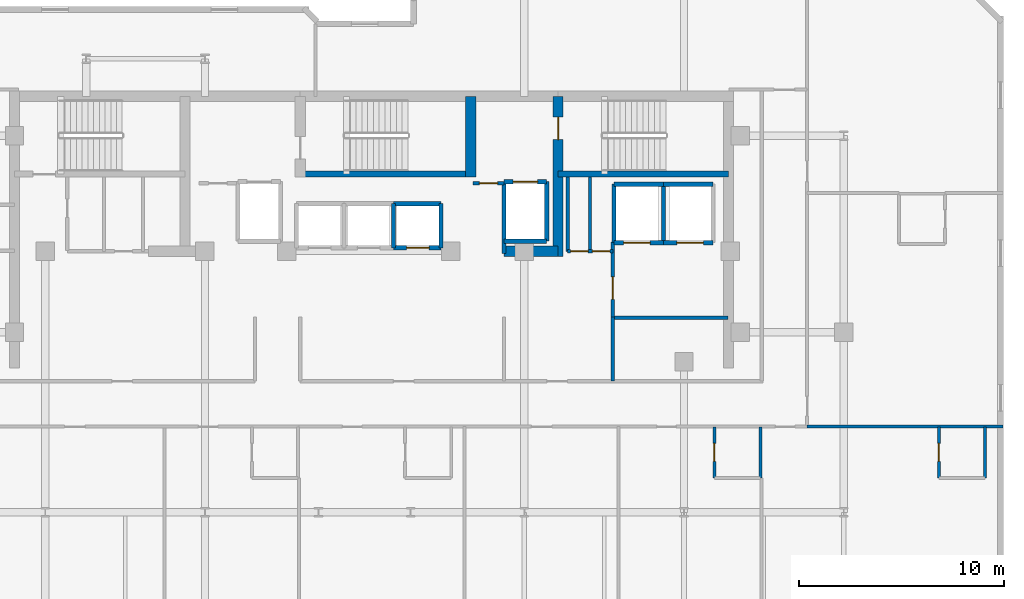
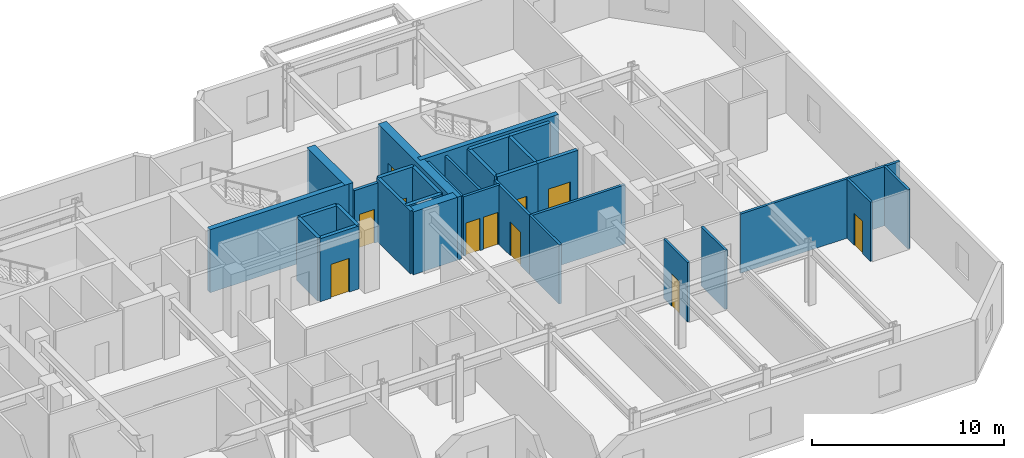
# One storey, part 6 of 9: 31 walls, 11 doors, 11 openings.
"""IFC4 building model written with IfcOpenShell, lengths in metres."""

from ifc_helpers import new_model, si_unit, direction, frame, frame_2d, origin, place, context, subcontext, project, spatial, rectangle, extrude, material, layer, layer_set, type_object, element, fill, save


model = new_model("IFC4")

# Units and contexts
model_context = context("Model", 3, precision=1e-05, world=origin(), true_north=direction((0.0, 1.0)))
body_context = subcontext(model_context, "Body", "Model", "MODEL_VIEW")
ifc_project = project(units=[si_unit("LENGTHUNIT", "METRE"), si_unit("AREAUNIT", "SQUARE_METRE"), si_unit("VOLUMEUNIT", "CUBIC_METRE"), si_unit("PLANEANGLEUNIT", "RADIAN"), si_unit("MASSUNIT", "GRAM", prefix="KILO")], contexts=[model_context])

# Site, building, storey
site_placement = place(None, origin())
site = spatial("IfcSite", under=ifc_project, at=site_placement, CompositionType="ELEMENT")
building_placement = place(site_placement, origin())
building = spatial("IfcBuilding", under=site, at=building_placement, Name="Kestravale Grand Hotel", CompositionType="ELEMENT")
storey_placement = place(building_placement, frame((0.0, 0.0, 257.39990234375)))
storey = spatial("IfcBuildingStorey", under=building, at=storey_placement, Name="L64", CompositionType="ELEMENT", Elevation=257.39990234375)

# Walls
ifc_material_1 = material(Name="Concrete f'c 50 MPa", Category="concrete")
ifc_layer_1 = layer(ifc_material_1, 0.5)
ifc_layer_set_1 = layer_set([ifc_layer_1], Name="EW-CORE-500")
wall_type_1 = type_object("IfcWallType", Name="EW-CORE-500", PredefinedType="SHEAR", material=ifc_layer_set_1)
wall_1_placement = place(storey_placement, frame((45.81005859375, 32.75, 0.0), z_axis=(0.0, 0.0, 1.0), x_axis=(1.0, 0.0, 0.0)))
element("IfcWall", 1, at=wall_1_placement, inside=storey, type_object=wall_type_1, Name="L64 core shear wall S2", PredefinedType="SHEAR", context=body_context, shape_type="SweptSolid", body=[
    extrude(rectangle(XDim=2.639892578125, YDim=0.5, at=frame_2d((1.31982421875, 0.0))), origin(), (0.0, 0.0, 1.0), 4.0),
])
wall_2_placement = place(storey_placement, frame((44.179931640625, 36.3701171875, 0.0), z_axis=(0.0, 0.0, 1.0), x_axis=(0.0, 1.0, 0.0)))
element("IfcWall", 2, at=wall_2_placement, inside=storey, type_object=wall_type_1, Name="L64 core shear wall X3", PredefinedType="SHEAR", context=body_context, shape_type="SweptSolid", body=[
    extrude(rectangle(XDim=3.949951171875, YDim=0.5, at=frame_2d((1.97509765625, 0.0))), origin(), (0.0, 0.0, 1.0), 4.0),
])

# Wall, opening, door
wall_3_placement = place(storey_placement, frame((48.449951171875, 32.5, 0.0), z_axis=(0.0, 0.0, 1.0), x_axis=(0.0, 1.0, 0.0)))
wall_3 = element("IfcWall", 3, at=wall_3_placement, inside=storey, type_object=wall_type_1, Name="L64 core shear wall X4", PredefinedType="SHEAR", context=body_context, shape_type="SweptSolid", body=[
    extrude(rectangle(XDim=7.820068359375, YDim=0.5, at=frame_2d((3.91015625, 0.0))), origin(), (0.0, 0.0, 1.0), 4.0),
])
opening_1_placement = place(wall_3_placement, frame((5.699951171875, 0.0, 0.0)))
opening_1 = element("IfcOpeningElement", 4, at=opening_1_placement, cuts=wall_3, Name="Opening D-ST-1100", PredefinedType="OPENING", context=body_context, shape_type="SweptSolid", body=[
    extrude(rectangle(XDim=1.10009765625, YDim=2.14990234375, at=frame_2d((0.550048828125, 1.074951171875))), frame((0.0, 0.260009765625, 0.0), z_axis=(0.0, -1.0, 0.0), x_axis=(1.0, 0.0, 0.0)), (0.0, 0.0, 1.0), 0.52001953125),
])
ifc_material_2 = material(Name="Galvanised 90-minute fire-rated steel stair door", Category="steel")
door_type_1 = type_object("IfcDoorType", Name="D-ST-1100", OperationType="NOTDEFINED", PredefinedType="DOOR", material=ifc_material_2)
door_1_placement = place(opening_1_placement, origin())
door_1 = element("IfcDoor", 5, at=door_1_placement, inside=storey, type_object=door_type_1, Name="L64 Stair ST-3 FSAE fire door", OperationType="SINGLE_SWING_RIGHT", OverallHeight=2.14990234375, OverallWidth=1.10009765625, PredefinedType="DOOR", context=body_context, shape_type="SweptSolid", body=[
    extrude(rectangle(XDim=1.10009765625, YDim=2.14990234375, at=frame_2d((0.550048828125, 1.074951171875))), frame((0.0, 0.02490234375, 0.0), z_axis=(0.0, -1.0, 0.0), x_axis=(1.0, 0.0, 0.0)), (0.0, 0.0, 1.0), 0.050048828125),
])
fill(opening_1, door_1)

# Walls
ifc_material_3 = material(Name="Concrete f'c 45 MPa", Category="concrete")
ifc_layer_2 = layer(ifc_material_3, 0.300048828125)
ifc_layer_set_2 = layer_set([ifc_layer_2], Name="EW-STAIR-300")
wall_type_2 = type_object("IfcWallType", Name="EW-STAIR-300", PredefinedType="SHEAR", material=ifc_layer_set_2)
wall_4_placement = place(storey_placement, frame((35.85009765625, 36.52001953125, 0.0), z_axis=(0.0, 0.0, 1.0), x_axis=(1.0, 0.0, 0.0)))
element("IfcWall", 6, at=wall_4_placement, inside=storey, type_object=wall_type_2, Name="L64 stair enclosure shear wall SST2", PredefinedType="SHEAR", context=body_context, shape_type="SweptSolid", body=[
    extrude(rectangle(XDim=8.329833984375, YDim=0.300048828125, at=frame_2d((4.1650390625, 0.0))), origin(), (0.0, 0.0, 1.0), 4.0),
])
wall_5_placement = place(storey_placement, frame((48.449951171875, 36.52001953125, 0.0), z_axis=(0.0, 0.0, 1.0), x_axis=(1.0, 0.0, 0.0)))
element("IfcWall", 7, at=wall_5_placement, inside=storey, type_object=wall_type_2, Name="L64 stair enclosure shear wall SST3", PredefinedType="SHEAR", context=body_context, shape_type="SweptSolid", body=[
    extrude(rectangle(XDim=8.320068359375, YDim=0.300048828125, at=frame_2d((4.16015625, 0.0))), origin(), (0.0, 0.0, 1.0), 4.0),
])

# Wall, opening, door
ifc_material_4 = material(Name="Acoustic fire-rated gypsum board partition", Category="other")
ifc_layer_3 = layer(ifc_material_4, 0.159912109375)
ifc_layer_set_3 = layer_set([ifc_layer_3], Name="IW-CORR-160")
wall_type_3 = type_object("IfcWallType", Name="IW-CORR-160", PredefinedType="PARTITIONING", material=ifc_layer_set_3)
wall_6_placement = place(storey_placement, frame((51.1201171875, 29.5, 0.0), z_axis=(0.0, 0.0, 1.0), x_axis=(0.0, 1.0, 0.0)))
wall_6 = element("IfcWall", 8, at=wall_6_placement, inside=storey, type_object=wall_type_3, Name="W-L64-SVCLOB-W", PredefinedType="PARTITIONING", context=body_context, shape_type="SweptSolid", body=[
    extrude(rectangle(XDim=3.699951171875, YDim=0.159912109375, at=frame_2d((1.85009765625, 0.0))), origin(), (0.0, 0.0, 1.0), 3.760009765625),
])
opening_2_placement = place(wall_6_placement, frame((0.89990234375, 0.0, 0.0)))
opening_2 = element("IfcOpeningElement", 9, at=opening_2_placement, cuts=wall_6, Name="Opening D-CORR-1100", PredefinedType="OPENING", context=body_context, shape_type="SweptSolid", body=[
    extrude(rectangle(XDim=1.10009765625, YDim=2.14990234375, at=frame_2d((0.550048828125, 1.074951171875))), frame((0.0, 0.08984375, 0.0), z_axis=(0.0, -1.0, 0.0), x_axis=(1.0, 0.0, 0.0)), (0.0, 0.0, 1.0), 0.179931640625),
])
ifc_material_5 = material(Name="Single-leaf service vestibule fire door", Category="steel")
door_type_2 = type_object("IfcDoorType", Name="D-CORR-1100", OperationType="NOTDEFINED", PredefinedType="DOOR", material=ifc_material_5)
door_2_placement = place(opening_2_placement, origin())
door_2 = element("IfcDoor", 10, at=door_2_placement, inside=storey, type_object=door_type_2, Name="L64 service lift lobby door", OperationType="SINGLE_SWING_LEFT", OverallHeight=2.14990234375, OverallWidth=1.10009765625, PredefinedType="DOOR", context=body_context, shape_type="SweptSolid", body=[
    extrude(rectangle(XDim=1.10009765625, YDim=2.14990234375, at=frame_2d((0.550048828125, 1.074951171875))), frame((0.0, 0.02490234375, 0.0), z_axis=(0.0, -1.0, 0.0), x_axis=(1.0, 0.0, 0.0)), (0.0, 0.0, 1.0), 0.050048828125),
])
fill(opening_2, door_2)

# Wall
wall_7_placement = place(storey_placement, frame((51.1201171875, 29.5, 0.0), z_axis=(0.0, 0.0, 1.0), x_axis=(1.0, 0.0, 0.0)))
element("IfcWall", 11, at=wall_7_placement, inside=storey, type_object=wall_type_3, Name="L64 service lift lobby wall", PredefinedType="PARTITIONING", context=body_context, shape_type="SweptSolid", body=[
    extrude(rectangle(XDim=5.6298828125, YDim=0.159912109375, at=frame_2d((2.81494140625, 0.0))), origin(), (0.0, 0.0, 1.0), 3.760009765625),
])

# Wall, openings, doors
wall_8_placement = place(storey_placement, frame((48.919921875, 32.75, 0.0), z_axis=(0.0, 0.0, 1.0), x_axis=(1.0, 0.0, 0.0)))
wall_8 = element("IfcWall", 12, at=wall_8_placement, inside=storey, type_object=wall_type_3, Name="W-L64-CES", PredefinedType="PARTITIONING", context=body_context, shape_type="SweptSolid", body=[
    extrude(rectangle(XDim=2.2001953125, YDim=0.159912109375, at=frame_2d((1.10009765625, 0.0))), origin(), (0.0, 0.0, 1.0), 3.760009765625),
])
opening_3_placement = place(wall_8_placement, frame((0.139892578125, 0.0, 0.0)))
opening_3 = element("IfcOpeningElement", 13, at=opening_3_placement, cuts=wall_8, Name="Opening D-SH-860", PredefinedType="OPENING", context=body_context, shape_type="SweptSolid", body=[
    extrude(rectangle(XDim=0.860107421875, YDim=2.050048828125, at=frame_2d((0.43017578125, 1.02490234375))), frame((0.0, 0.08984375, 0.0), z_axis=(0.0, -1.0, 0.0), x_axis=(1.0, 0.0, 0.0)), (0.0, 0.0, 1.0), 0.179931640625),
])
opening_4_placement = place(wall_8_placement, frame((1.199951171875, 0.0, 0.0)))
opening_4 = element("IfcOpeningElement", 14, at=opening_4_placement, cuts=wall_8, Name="Opening D-SH-860", PredefinedType="OPENING", context=body_context, shape_type="SweptSolid", body=[
    extrude(rectangle(XDim=0.860107421875, YDim=2.050048828125, at=frame_2d((0.43017578125, 1.02490234375))), frame((0.0, 0.08984375, 0.0), z_axis=(0.0, -1.0, 0.0), x_axis=(1.0, 0.0, 0.0)), (0.0, 0.0, 1.0), 0.179931640625),
])
ifc_material_6 = material(Name="Galvanised 90-minute riser fire door", Category="steel")
door_type_3 = type_object("IfcDoorType", Name="D-SH-860", OperationType="NOTDEFINED", PredefinedType="DOOR", material=ifc_material_6)
door_3_placement = place(opening_3_placement, origin())
door_3 = element("IfcDoor", 15, at=door_3_placement, inside=storey, type_object=door_type_3, Name="L64 CSTO1 door", OperationType="SINGLE_SWING_LEFT", OverallHeight=2.050048828125, OverallWidth=0.860107421875, PredefinedType="DOOR", context=body_context, shape_type="SweptSolid", body=[
    extrude(rectangle(XDim=0.860107421875, YDim=2.050048828125, at=frame_2d((0.43017578125, 1.02490234375))), frame((0.0, 0.02490234375, 0.0), z_axis=(0.0, -1.0, 0.0), x_axis=(1.0, 0.0, 0.0)), (0.0, 0.0, 1.0), 0.050048828125),
])
fill(opening_3, door_3)
door_4_placement = place(opening_4_placement, origin())
door_4 = element("IfcDoor", 16, at=door_4_placement, inside=storey, type_object=door_type_3, Name="L64 CSTO2 door", OperationType="SINGLE_SWING_RIGHT", OverallHeight=2.050048828125, OverallWidth=0.860107421875, PredefinedType="DOOR", context=body_context, shape_type="SweptSolid", body=[
    extrude(rectangle(XDim=0.860107421875, YDim=2.050048828125, at=frame_2d((0.43017578125, 1.02490234375))), frame((0.0, 0.02490234375, 0.0), z_axis=(0.0, -1.0, 0.0), x_axis=(1.0, 0.0, 0.0)), (0.0, 0.0, 1.0), 0.050048828125),
])
fill(opening_4, door_4)

# Wall, opening, door
ifc_material_7 = material(Name="Fire-rated gypsum board on steel studs with mineral wool", Category="steel")
ifc_layer_4 = layer(ifc_material_7, 0.179931640625)
ifc_layer_set_4 = layer_set([ifc_layer_4], Name="IW-FSAE-180")
wall_type_4 = type_object("IfcWallType", Name="IW-FSAE-180", PredefinedType="PARTITIONING", material=ifc_layer_set_4)
wall_9_placement = place(storey_placement, frame((44.300048828125, 36.080078125, 0.0), z_axis=(0.0, 0.0, 1.0), x_axis=(1.0, 0.0, 0.0)))
wall_9 = element("IfcWall", 17, at=wall_9_placement, inside=storey, type_object=wall_type_4, Name="L64 FSAE Lobby 2 smoke barrier", PredefinedType="PARTITIONING", context=body_context, shape_type="SweptSolid", body=[
    extrude(rectangle(XDim=1.5, YDim=0.179931640625, at=frame_2d((0.75, 0.0))), origin(), (0.0, 0.0, 1.0), 3.760009765625),
])
opening_5_placement = place(wall_9_placement, frame((0.300048828125, 0.0, 0.0)))
opening_5 = element("IfcOpeningElement", 18, at=opening_5_placement, cuts=wall_9, Name="Opening D-FSAE-1000", PredefinedType="OPENING", context=body_context, shape_type="SweptSolid", body=[
    extrude(rectangle(XDim=0.89990234375, YDim=2.14990234375, at=frame_2d((0.449951171875, 1.074951171875))), frame((0.0, 0.099853515625, 0.0), z_axis=(0.0, -1.0, 0.0), x_axis=(1.0, 0.0, 0.0)), (0.0, 0.0, 1.0), 0.199951171875),
])
ifc_material_8 = material(Name="Smoke-gasketed FSAE lobby fire door", Category="steel")
door_type_4 = type_object("IfcDoorType", Name="D-FSAE-1000", OperationType="NOTDEFINED", PredefinedType="DOOR", material=ifc_material_8)
door_5_placement = place(opening_5_placement, origin())
door_5 = element("IfcDoor", 19, at=door_5_placement, inside=storey, type_object=door_type_4, Name="L64 FSAE Lobby 2 fire door", OperationType="SINGLE_SWING_LEFT", OverallHeight=2.14990234375, OverallWidth=0.89990234375, PredefinedType="DOOR", context=body_context, shape_type="SweptSolid", body=[
    extrude(rectangle(XDim=0.89990234375, YDim=2.14990234375, at=frame_2d((0.449951171875, 1.074951171875))), frame((0.0, 0.02490234375, 0.0), z_axis=(0.0, -1.0, 0.0), x_axis=(1.0, 0.0, 0.0)), (0.0, 0.0, 1.0), 0.050048828125),
])
fill(opening_5, door_5)

ifc_material_9 = material(Name="Moisture-resistant tile-backer plumbing chase wall", Category="other")
ifc_layer_5 = layer(ifc_material_9, 0.139892578125)
ifc_layer_set_5 = layer_set([ifc_layer_5], Name="IW-PLB-140")
wall_type_5 = type_object("IfcWallType", Name="IW-PLB-140", PredefinedType="PLUMBINGWALL", material=ifc_layer_set_5)
wall_10_placement = place(storey_placement, frame((56.080078125, 21.679931640625, 0.0), z_axis=(0.0, 0.0, 1.0), x_axis=(0.0, 1.0, 0.0)))
wall_10 = element("IfcWall", 20, at=wall_10_placement, inside=storey, type_object=wall_type_5, Name="W-L64-U03-BW", PredefinedType="PLUMBINGWALL", context=body_context, shape_type="SweptSolid", body=[
    extrude(rectangle(XDim=2.489990234375, YDim=0.139892578125, at=frame_2d((1.2451171875, 0.0))), origin(), (0.0, 0.0, 1.0), 3.760009765625),
])
opening_6_placement = place(wall_10_placement, frame((0.804931640625, 0.0, 0.0)))
opening_6 = element("IfcOpeningElement", 21, at=opening_6_placement, cuts=wall_10, Name="Opening D-BATH-880", PredefinedType="OPENING", context=body_context, shape_type="SweptSolid", body=[
    extrude(rectangle(XDim=0.8798828125, YDim=2.050048828125, at=frame_2d((0.43994140625, 1.02490234375))), frame((0.0, 0.079833984375, 0.0), z_axis=(0.0, -1.0, 0.0), x_axis=(1.0, 0.0, 0.0)), (0.0, 0.0, 1.0), 0.159912109375),
])
ifc_material_10 = material(Name="Moisture-sealed walnut en-suite bathroom door", Category="wood")
door_type_5 = type_object("IfcDoorType", Name="D-BATH-880", OperationType="NOTDEFINED", PredefinedType="DOOR", material=ifc_material_10)
door_6_placement = place(opening_6_placement, origin())
door_6 = element("IfcDoor", 22, at=door_6_placement, inside=storey, type_object=door_type_5, Name="D-L64-U03-BATH", OperationType="SINGLE_SWING_RIGHT", OverallHeight=2.050048828125, OverallWidth=0.8798828125, PredefinedType="DOOR", context=body_context, shape_type="SweptSolid", body=[
    extrude(rectangle(XDim=0.8798828125, YDim=2.050048828125, at=frame_2d((0.43994140625, 1.02490234375))), frame((0.0, 0.02490234375, 0.0), z_axis=(0.0, -1.0, 0.0), x_axis=(1.0, 0.0, 0.0)), (0.0, 0.0, 1.0), 0.050048828125),
])
fill(opening_6, door_6)

# Wall
wall_11_placement = place(storey_placement, frame((58.330078125, 21.679931640625, 0.0), z_axis=(0.0, 0.0, 1.0), x_axis=(0.0, 1.0, 0.0)))
element("IfcWall", 23, at=wall_11_placement, inside=storey, type_object=wall_type_5, Name="W-L64-U03-BE", PredefinedType="PLUMBINGWALL", context=body_context, shape_type="SweptSolid", body=[
    extrude(rectangle(XDim=2.489990234375, YDim=0.139892578125, at=frame_2d((1.2451171875, 0.0))), origin(), (0.0, 0.0, 1.0), 3.760009765625),
])

# Wall, opening, door
wall_12_placement = place(storey_placement, frame((67.050048828125, 21.679931640625, 0.0), z_axis=(0.0, 0.0, 1.0), x_axis=(0.0, 1.0, 0.0)))
wall_12 = element("IfcWall", 24, at=wall_12_placement, inside=storey, type_object=wall_type_5, Name="W-L64-U07-BW", PredefinedType="PLUMBINGWALL", context=body_context, shape_type="SweptSolid", body=[
    extrude(rectangle(XDim=2.489990234375, YDim=0.139892578125, at=frame_2d((1.2451171875, 0.0))), origin(), (0.0, 0.0, 1.0), 3.760009765625),
])
opening_7_placement = place(wall_12_placement, frame((0.804931640625, 0.0, 0.0)))
opening_7 = element("IfcOpeningElement", 25, at=opening_7_placement, cuts=wall_12, Name="Opening D-BATH-880", PredefinedType="OPENING", context=body_context, shape_type="SweptSolid", body=[
    extrude(rectangle(XDim=0.8798828125, YDim=2.050048828125, at=frame_2d((0.43994140625, 1.02490234375))), frame((0.0, 0.079833984375, 0.0), z_axis=(0.0, -1.0, 0.0), x_axis=(1.0, 0.0, 0.0)), (0.0, 0.0, 1.0), 0.159912109375),
])
door_7_placement = place(opening_7_placement, origin())
door_7 = element("IfcDoor", 26, at=door_7_placement, inside=storey, type_object=door_type_5, Name="D-L64-U07-BATH", OperationType="SINGLE_SWING_LEFT", OverallHeight=2.050048828125, OverallWidth=0.8798828125, PredefinedType="DOOR", context=body_context, shape_type="SweptSolid", body=[
    extrude(rectangle(XDim=0.8798828125, YDim=2.050048828125, at=frame_2d((0.43994140625, 1.02490234375))), frame((0.0, 0.02490234375, 0.0), z_axis=(0.0, -1.0, 0.0), x_axis=(1.0, 0.0, 0.0)), (0.0, 0.0, 1.0), 0.050048828125),
])
fill(opening_7, door_7)

# Walls
wall_13_placement = place(storey_placement, frame((69.300048828125, 21.679931640625, 0.0), z_axis=(0.0, 0.0, 1.0), x_axis=(0.0, 1.0, 0.0)))
element("IfcWall", 27, at=wall_13_placement, inside=storey, type_object=wall_type_5, Name="W-L64-U07-BE", PredefinedType="PLUMBINGWALL", context=body_context, shape_type="SweptSolid", body=[
    extrude(rectangle(XDim=2.489990234375, YDim=0.139892578125, at=frame_2d((1.2451171875, 0.0))), origin(), (0.0, 0.0, 1.0), 3.760009765625),
])
ifc_material_11 = material(Name="Concrete f'c 45 MPa", Category="concrete")
ifc_layer_6 = layer(ifc_material_11, 0.199951171875)
ifc_layer_set_6 = layer_set([ifc_layer_6], Name="IW-SHAFT-200")
wall_type_6 = type_object("IfcWallType", Name="IW-SHAFT-200", PredefinedType="SHEAR", material=ifc_layer_set_6)
for number, where, z_axis, x_axis, name in (
    (28, (40.39990234375, 32.919921875, 0.0), (0.0, 0.0, 1.0), (0.0, 1.0, 0.0), "L64 PL-X3 west shaft wall"),
    (29, (42.719970703125, 32.919921875, 0.0), (0.0, 0.0, 1.0), (0.0, 1.0, 0.0), "L64 PL-X3 east shaft wall"),
):
    element("IfcWall", number, at=place(storey_placement, frame(where, z_axis=z_axis, x_axis=x_axis)), inside=storey, type_object=wall_type_6, Name=name, PredefinedType="SHEAR", context=body_context, shape_type="SweptSolid", body=[
        extrude(rectangle(XDim=2.16015625, YDim=0.199951171875, at=frame_2d((1.080078125, 0.0))), origin(), (0.0, 0.0, 1.0), 4.0),
    ])
for number, where, z_axis, x_axis, name in (
    (30, (51.179931640625, 33.169921875, 0.0), (0.0, 0.0, 1.0), (0.0, 1.0, 0.0), "L64 SL-1 west shaft wall"),
    (31, (53.60009765625, 33.169921875, 0.0), (0.0, 0.0, 1.0), (0.0, 1.0, 0.0), "L64 SL-2 west shaft wall"),
):
    element("IfcWall", number, at=place(storey_placement, frame(where, z_axis=z_axis, x_axis=x_axis)), inside=storey, type_object=wall_type_6, Name=name, PredefinedType="SHEAR", context=body_context, shape_type="SweptSolid", body=[
        extrude(rectangle(XDim=2.860107421875, YDim=0.199951171875, at=frame_2d((1.43017578125, 0.0))), origin(), (0.0, 0.0, 1.0), 4.0),
    ])
wall_14_placement = place(storey_placement, frame((45.804931640625, 32.64990234375, 0.0), z_axis=(0.0, 0.0, 1.0), x_axis=(0.0, 1.0, 0.0)))
element("IfcWall", 32, at=wall_14_placement, inside=storey, type_object=wall_type_6, Name="L64 FL-2 west shaft wall", PredefinedType="SHEAR", context=body_context, shape_type="SweptSolid", body=[
    extrude(rectangle(XDim=3.505126953125, YDim=0.199951171875, at=frame_2d((1.75244140625, 0.0))), origin(), (0.0, 0.0, 1.0), 4.0),
])
wall_15_placement = place(storey_placement, frame((47.89501953125, 33.2451171875, 0.0), z_axis=(0.0, 0.0, 1.0), x_axis=(0.0, 1.0, 0.0)))
element("IfcWall", 33, at=wall_15_placement, inside=storey, type_object=wall_type_6, Name="L64 FL-2 east shaft wall", PredefinedType="SHEAR", context=body_context, shape_type="SweptSolid", body=[
    extrude(rectangle(XDim=2.909912109375, YDim=0.199951171875, at=frame_2d((1.455078125, 0.0))), origin(), (0.0, 0.0, 1.0), 4.0),
])
ifc_material_12 = material(Name="Concrete f'c 45 MPa", Category="concrete")
ifc_layer_7 = layer(ifc_material_12, 0.219970703125)
ifc_layer_set_7 = layer_set([ifc_layer_7], Name="IW-SHAFT-220")
wall_type_7 = type_object("IfcWallType", Name="IW-SHAFT-220", PredefinedType="SHEAR", material=ifc_layer_set_7)
wall_16_placement = place(storey_placement, frame((40.39990234375, 35.080078125, 0.0), z_axis=(0.0, 0.0, 1.0), x_axis=(1.0, 0.0, 0.0)))
element("IfcWall", 34, at=wall_16_placement, inside=storey, type_object=wall_type_7, Name="L64 PL-X3 north shaft wall", PredefinedType="SHEAR", context=body_context, shape_type="SweptSolid", body=[
    extrude(rectangle(XDim=2.320068359375, YDim=0.219970703125, at=frame_2d((1.16015625, 0.0))), origin(), (0.0, 0.0, 1.0), 4.0),
])

# Wall, opening, door
wall_17_placement = place(storey_placement, frame((40.39990234375, 32.919921875, 0.0), z_axis=(0.0, 0.0, 1.0), x_axis=(1.0, 0.0, 0.0)))
wall_17 = element("IfcWall", 35, at=wall_17_placement, inside=storey, type_object=wall_type_7, Name="L64 PL-X3 south shaft wall", PredefinedType="SHEAR", context=body_context, shape_type="SweptSolid", body=[
    extrude(rectangle(XDim=2.320068359375, YDim=0.219970703125, at=frame_2d((1.16015625, 0.0))), origin(), (0.0, 0.0, 1.0), 4.0),
])
opening_8_placement = place(wall_17_placement, frame((0.64990234375, 0.0, 0.0)))
opening_8 = element("IfcOpeningElement", 36, at=opening_8_placement, cuts=wall_17, Name="Opening LD-PAX-1100", PredefinedType="OPENING", context=body_context, shape_type="SweptSolid", body=[
    extrude(rectangle(XDim=1.10009765625, YDim=2.14990234375, at=frame_2d((0.550048828125, 1.074951171875))), frame((0.0, 0.119873046875, 0.0), z_axis=(0.0, -1.0, 0.0), x_axis=(1.0, 0.0, 0.0)), (0.0, 0.0, 1.0), 0.239990234375),
])
ifc_material_13 = material(Name="Champagne-bronze center-opening sliding elevator landing door", Category="steel")
door_type_6 = type_object("IfcDoorType", Name="LD-PAX-1100", OperationType="NOTDEFINED", PredefinedType="DOOR", material=ifc_material_13)
door_8_placement = place(opening_8_placement, origin())
door_8 = element("IfcDoor", 37, at=door_8_placement, inside=storey, type_object=door_type_6, Name="L64 PL-X3 elevator landing sliding door", OperationType="DOUBLE_DOOR_SLIDING", OverallHeight=2.14990234375, OverallWidth=1.10009765625, PredefinedType="DOOR", context=body_context, shape_type="SweptSolid", body=[
    extrude(rectangle(XDim=1.10009765625, YDim=2.14990234375, at=frame_2d((0.550048828125, 1.074951171875))), frame((0.0, 0.02490234375, 0.0), z_axis=(0.0, -1.0, 0.0), x_axis=(1.0, 0.0, 0.0)), (0.0, 0.0, 1.0), 0.050048828125),
])
fill(opening_8, door_8)

# Wall
wall_18_placement = place(storey_placement, frame((51.179931640625, 36.030029296875, 0.0), z_axis=(0.0, 0.0, 1.0), x_axis=(1.0, 0.0, 0.0)))
element("IfcWall", 38, at=wall_18_placement, inside=storey, type_object=wall_type_7, Name="L64 SL-1 north shaft wall", PredefinedType="SHEAR", context=body_context, shape_type="SweptSolid", body=[
    extrude(rectangle(XDim=2.420166015625, YDim=0.219970703125, at=frame_2d((1.2099609375, 0.0))), origin(), (0.0, 0.0, 1.0), 4.0),
])

# Wall, opening, door
wall_19_placement = place(storey_placement, frame((51.179931640625, 33.169921875, 0.0), z_axis=(0.0, 0.0, 1.0), x_axis=(1.0, 0.0, 0.0)))
wall_19 = element("IfcWall", 39, at=wall_19_placement, inside=storey, type_object=wall_type_7, Name="L64 SL-1 south shaft wall", PredefinedType="SHEAR", context=body_context, shape_type="SweptSolid", body=[
    extrude(rectangle(XDim=2.420166015625, YDim=0.219970703125, at=frame_2d((1.2099609375, 0.0))), origin(), (0.0, 0.0, 1.0), 4.0),
])
opening_9_placement = place(wall_19_placement, frame((0.469970703125, 0.0, 0.0)))
opening_9 = element("IfcOpeningElement", 40, at=opening_9_placement, cuts=wall_19, Name="Opening LD-SVC-1300", PredefinedType="OPENING", context=body_context, shape_type="SweptSolid", body=[
    extrude(rectangle(XDim=1.300048828125, YDim=2.14990234375, at=frame_2d((0.64990234375, 1.074951171875))), frame((0.0, 0.119873046875, 0.0), z_axis=(0.0, -1.0, 0.0), x_axis=(1.0, 0.0, 0.0)), (0.0, 0.0, 1.0), 0.239990234375),
])
ifc_material_14 = material(Name="Heavy-duty service sliding elevator landing door", Category="steel")
door_type_7 = type_object("IfcDoorType", Name="LD-SVC-1300", OperationType="NOTDEFINED", PredefinedType="DOOR", material=ifc_material_14)
door_9_placement = place(opening_9_placement, origin())
door_9 = element("IfcDoor", 41, at=door_9_placement, inside=storey, type_object=door_type_7, Name="L64 SL-1 elevator landing sliding door", OperationType="DOUBLE_DOOR_SLIDING", OverallHeight=2.14990234375, OverallWidth=1.300048828125, PredefinedType="DOOR", context=body_context, shape_type="SweptSolid", body=[
    extrude(rectangle(XDim=1.300048828125, YDim=2.14990234375, at=frame_2d((0.64990234375, 1.074951171875))), frame((0.0, 0.02490234375, 0.0), z_axis=(0.0, -1.0, 0.0), x_axis=(1.0, 0.0, 0.0)), (0.0, 0.0, 1.0), 0.050048828125),
])
fill(opening_9, door_9)

# Wall
wall_20_placement = place(storey_placement, frame((53.60009765625, 36.030029296875, 0.0), z_axis=(0.0, 0.0, 1.0), x_axis=(1.0, 0.0, 0.0)))
element("IfcWall", 42, at=wall_20_placement, inside=storey, type_object=wall_type_7, Name="L64 SL-2 north shaft wall", PredefinedType="SHEAR", context=body_context, shape_type="SweptSolid", body=[
    extrude(rectangle(XDim=2.419921875, YDim=0.219970703125, at=frame_2d((1.2099609375, 0.0))), origin(), (0.0, 0.0, 1.0), 4.0),
])

# Wall, opening, door
wall_21_placement = place(storey_placement, frame((53.60009765625, 33.169921875, 0.0), z_axis=(0.0, 0.0, 1.0), x_axis=(1.0, 0.0, 0.0)))
wall_21 = element("IfcWall", 43, at=wall_21_placement, inside=storey, type_object=wall_type_7, Name="L64 SL-2 south shaft wall", PredefinedType="SHEAR", context=body_context, shape_type="SweptSolid", body=[
    extrude(rectangle(XDim=2.419921875, YDim=0.219970703125, at=frame_2d((1.2099609375, 0.0))), origin(), (0.0, 0.0, 1.0), 4.0),
])
opening_10_placement = place(wall_21_placement, frame((0.64990234375, 0.0, 0.0)))
opening_10 = element("IfcOpeningElement", 44, at=opening_10_placement, cuts=wall_21, Name="Opening LD-SVC-1300", PredefinedType="OPENING", context=body_context, shape_type="SweptSolid", body=[
    extrude(rectangle(XDim=1.300048828125, YDim=2.14990234375, at=frame_2d((0.64990234375, 1.074951171875))), frame((0.0, 0.119873046875, 0.0), z_axis=(0.0, -1.0, 0.0), x_axis=(1.0, 0.0, 0.0)), (0.0, 0.0, 1.0), 0.239990234375),
])
door_10_placement = place(opening_10_placement, origin())
door_10 = element("IfcDoor", 45, at=door_10_placement, inside=storey, type_object=door_type_7, Name="L64 SL-2 elevator landing sliding door", OperationType="DOUBLE_DOOR_SLIDING", OverallHeight=2.14990234375, OverallWidth=1.300048828125, PredefinedType="DOOR", context=body_context, shape_type="SweptSolid", body=[
    extrude(rectangle(XDim=1.300048828125, YDim=2.14990234375, at=frame_2d((0.64990234375, 1.074951171875))), frame((0.0, 0.02490234375, 0.0), z_axis=(0.0, -1.0, 0.0), x_axis=(1.0, 0.0, 0.0)), (0.0, 0.0, 1.0), 0.050048828125),
])
fill(opening_10, door_10)

wall_22_placement = place(storey_placement, frame((45.804931640625, 36.155029296875, 0.0), z_axis=(0.0, 0.0, 1.0), x_axis=(1.0, 0.0, 0.0)))
wall_22 = element("IfcWall", 46, at=wall_22_placement, inside=storey, type_object=wall_type_7, Name="L64 FL-2 north shaft wall", PredefinedType="SHEAR", context=body_context, shape_type="SweptSolid", body=[
    extrude(rectangle(XDim=2.090087890625, YDim=0.219970703125, at=frame_2d((1.044921875, 0.0))), origin(), (0.0, 0.0, 1.0), 4.0),
])
opening_11_placement = place(wall_22_placement, frame((0.445068359375, 0.0, 0.0)))
opening_11 = element("IfcOpeningElement", 47, at=opening_11_placement, cuts=wall_22, Name="Opening LD-FSAE-1200", PredefinedType="OPENING", context=body_context, shape_type="SweptSolid", body=[
    extrude(rectangle(XDim=1.199951171875, YDim=2.14990234375, at=frame_2d((0.60009765625, 1.074951171875))), frame((0.0, 0.119873046875, 0.0), z_axis=(0.0, -1.0, 0.0), x_axis=(1.0, 0.0, 0.0)), (0.0, 0.0, 1.0), 0.239990234375),
])
ifc_material_15 = material(Name="Stainless fire-service sliding elevator landing door", Category="steel")
door_type_8 = type_object("IfcDoorType", Name="LD-FSAE-1200", OperationType="NOTDEFINED", PredefinedType="DOOR", material=ifc_material_15)
door_11_placement = place(opening_11_placement, origin())
door_11 = element("IfcDoor", 48, at=door_11_placement, inside=storey, type_object=door_type_8, Name="L64 FL-2 elevator landing sliding door", OperationType="DOUBLE_DOOR_SLIDING", OverallHeight=2.14990234375, OverallWidth=1.199951171875, PredefinedType="DOOR", context=body_context, shape_type="SweptSolid", body=[
    extrude(rectangle(XDim=1.199951171875, YDim=2.14990234375, at=frame_2d((0.60009765625, 1.074951171875))), frame((0.0, 0.02490234375, 0.0), z_axis=(0.0, -1.0, 0.0), x_axis=(1.0, 0.0, 0.0)), (0.0, 0.0, 1.0), 0.050048828125),
])
fill(opening_11, door_11)

# Walls
wall_23_placement = place(storey_placement, frame((45.804931640625, 33.2451171875, 0.0), z_axis=(0.0, 0.0, 1.0), x_axis=(1.0, 0.0, 0.0)))
element("IfcWall", 49, at=wall_23_placement, inside=storey, type_object=wall_type_7, Name="L64 FL-2 south shaft wall", PredefinedType="SHEAR", context=body_context, shape_type="SweptSolid", body=[
    extrude(rectangle(XDim=2.090087890625, YDim=0.219970703125, at=frame_2d((1.044921875, 0.0))), origin(), (0.0, 0.0, 1.0), 4.0),
])
ifc_material_16 = material(Name="Double-stud STC 52 acoustic demising partition", Category="other")
ifc_layer_8 = layer(ifc_material_16, 0.14990234375)
ifc_layer_set_8 = layer_set([ifc_layer_8], Name="IW-UNIT-150")
wall_type_8 = type_object("IfcWallType", Name="IW-UNIT-150", PredefinedType="PARTITIONING", material=ifc_layer_set_8)
for number, where, z_axis, x_axis, name in (
    (50, (48.919921875, 32.75, 0.0), (0.0, 0.0, 1.0), (0.0, 1.0, 0.0), "W-L64-CEW"),
    (51, (50.010009765625, 32.75, 0.0), (0.0, 0.0, 1.0), (0.0, 1.0, 0.0), "W-L64-CC1-EM"),
):
    element("IfcWall", number, at=place(storey_placement, frame(where, z_axis=z_axis, x_axis=x_axis)), inside=storey, type_object=wall_type_8, Name=name, PredefinedType="PARTITIONING", context=body_context, shape_type="SweptSolid", body=[
        extrude(rectangle(XDim=3.6201171875, YDim=0.14990234375, at=frame_2d((1.81005859375, 0.0))), origin(), (0.0, 0.0, 1.0), 3.760009765625),
    ])
wall_24_placement = place(storey_placement, frame((51.1201171875, 26.409912109375, 0.0), z_axis=(0.0, 0.0, 1.0), x_axis=(0.0, 1.0, 0.0)))
element("IfcWall", 52, at=wall_24_placement, inside=storey, type_object=wall_type_8, Name="W-L64-RCLE-E", PredefinedType="PARTITIONING", context=body_context, shape_type="SweptSolid", body=[
    extrude(rectangle(XDim=3.14013671875, YDim=0.14990234375, at=frame_2d((1.570068359375, 0.0))), origin(), (0.0, 0.0, 1.0), 3.760009765625),
])
wall_25_placement = place(storey_placement, frame((60.610107421875, 24.18994140625, 0.0), z_axis=(0.0, 0.0, 1.0), x_axis=(1.0, 0.0, 0.0)))
element("IfcWall", 53, at=wall_25_placement, inside=storey, type_object=wall_type_8, Name="W-L64-SEC-N", PredefinedType="PARTITIONING", context=body_context, shape_type="SweptSolid", body=[
    extrude(rectangle(XDim=9.56982421875, YDim=0.14990234375, at=frame_2d((4.784912109375, 0.0))), origin(), (0.0, 0.0, 1.0), 3.760009765625),
])

save(model, "model.ifc")
